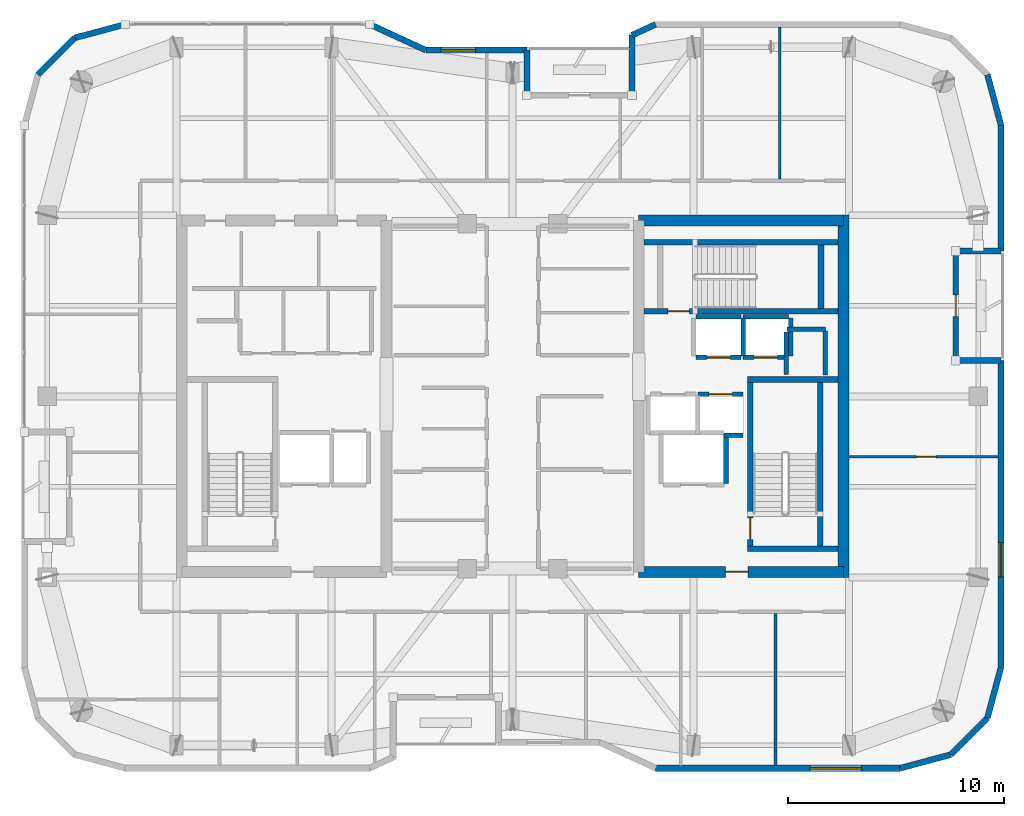
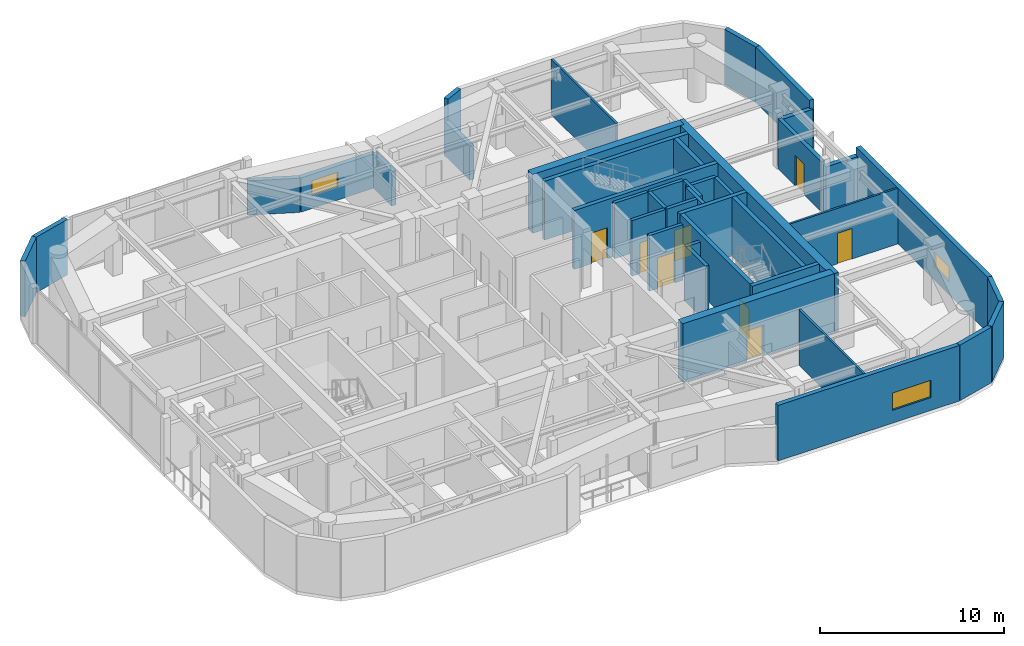
# One storey, part 13 of 16: 42 walls, 8 doors, 3 windows, 11 openings.
"""IFC4 building model written with IfcOpenShell, lengths in metres."""

from ifc_helpers import new_model, si_unit, direction, frame, frame_2d, origin, place, context, subcontext, project, spatial, rectangle, extrude, material, layer, layer_set, type_object, element, fill, save


model = new_model("IFC4")

# Units and contexts
model_context = context("Model", 3, precision=1e-05, world=origin(), true_north=direction((0.0, 1.0)))
body_context = subcontext(model_context, "Body", "Model", "MODEL_VIEW")
ifc_project = project(units=[si_unit("LENGTHUNIT", "METRE"), si_unit("AREAUNIT", "SQUARE_METRE"), si_unit("VOLUMEUNIT", "CUBIC_METRE"), si_unit("PLANEANGLEUNIT", "RADIAN"), si_unit("MASSUNIT", "GRAM", prefix="KILO")], contexts=[model_context])

# Site, building, storey
site_placement = place(None, origin())
site = spatial("IfcSite", under=ifc_project, at=site_placement, CompositionType="ELEMENT")
building_placement = place(site_placement, origin())
building = spatial("IfcBuilding", under=site, at=building_placement, Name="Kiyonajd Concourse Tower", CompositionType="ELEMENT")
storey_placement = place(building_placement, frame((0.0, 0.0, 310.199951171875)))
storey = spatial("IfcBuildingStorey", under=building, at=storey_placement, Name="L78", CompositionType="ELEMENT", Elevation=310.199951171875)

# Wall
ifc_material_1 = material(Name="Concrete C60/75", Category="concrete")
ifc_layer_1 = layer(ifc_material_1, 0.5)
ifc_layer_set_1 = layer_set([ifc_layer_1], Name="Concrete C60/75")
wall_type_1 = type_object("IfcWallType", Name="WL-CORE-500", PredefinedType="SHEAR", material=ifc_layer_set_1)
wall_1_placement = place(storey_placement, frame((63.35009765625, 27.60009765625, 0.0), z_axis=(0.0, 0.0, 1.0), x_axis=(0.0, 1.0, 0.0)))
element("IfcWall", 1, at=wall_1_placement, inside=storey, type_object=wall_type_1, Name="L78 East Core Outer Shear Wall", PredefinedType="SHEAR", context=body_context, shape_type="SweptSolid", body=[
    extrude(rectangle(XDim=16.7998046875, YDim=0.5, at=frame_2d((8.39990234375, 0.0))), origin(), (0.0, 0.0, 1.0), 3.900146484375),
])

# Wall, opening, door
wall_2_placement = place(storey_placement, frame((53.85009765625, 27.85009765625, 0.0), z_axis=(0.0, 0.0, 1.0), x_axis=(1.0, 0.0, 0.0)))
wall_2 = element("IfcWall", 2, at=wall_2_placement, inside=storey, type_object=wall_type_1, Name="L78 East Core South Shear Wall", PredefinedType="SHEAR", context=body_context, shape_type="SweptSolid", body=[
    extrude(rectangle(XDim=9.5, YDim=0.5, at=frame_2d((4.75, 0.0))), origin(), (0.0, 0.0, 1.0), 3.900146484375),
])
opening_1_placement = place(wall_2_placement, frame((4.02490234375, 0.0, 0.0)))
opening_1 = element("IfcOpeningElement", 3, at=opening_1_placement, cuts=wall_2, Name="Opening DF5", PredefinedType="OPENING", context=body_context, shape_type="SweptSolid", body=[
    extrude(rectangle(XDim=1.050048828125, YDim=2.0400390625, at=frame_2d((0.52490234375, 1.02001953125))), frame((0.0, 0.260009765625, 0.0), z_axis=(0.0, -1.0, 0.0), x_axis=(1.0, 0.0, 0.0)), (0.0, 0.0, 1.0), 0.52001953125),
])
ifc_material_2 = material(Name="Brushed Stainless Steel Cab Assembly", Category="steel")
door_type_1 = type_object("IfcDoorType", Name="DR-FD45-1050", OperationType="NOTDEFINED", PredefinedType="DOOR", material=ifc_material_2)
door_1_placement = place(opening_1_placement, origin())
door_1 = element("IfcDoor", 4, at=door_1_placement, inside=storey, type_object=door_type_1, Name="L78 Firefighting Lift Lobby E Smoke Door", OperationType="SINGLE_SWING_RIGHT", OverallHeight=2.0400390625, OverallWidth=1.050048828125, PredefinedType="DOOR", context=body_context, shape_type="SweptSolid", body=[
    extrude(rectangle(XDim=1.050048828125, YDim=2.0400390625, at=frame_2d((0.52490234375, 1.02001953125))), frame((0.0, 0.02490234375, 0.0), z_axis=(0.0, -1.0, 0.0), x_axis=(1.0, 0.0, 0.0)), (0.0, 0.0, 1.0), 0.050048828125),
])
fill(opening_1, door_1)

# Walls
wall_3_placement = place(storey_placement, frame((53.85009765625, 44.14990234375, 0.0), z_axis=(0.0, 0.0, 1.0), x_axis=(1.0, 0.0, 0.0)))
element("IfcWall", 5, at=wall_3_placement, inside=storey, type_object=wall_type_1, Name="L78 East Core North Shear Wall", PredefinedType="SHEAR", context=body_context, shape_type="SweptSolid", body=[
    extrude(rectangle(XDim=9.5, YDim=0.5, at=frame_2d((4.75, 0.0))), origin(), (0.0, 0.0, 1.0), 3.900146484375),
])
ifc_material_3 = material(Name="Precast concrete C50/60", Category="concrete")
ifc_layer_2 = layer(ifc_material_3, 0.280029296875)
ifc_layer_set_2 = layer_set([ifc_layer_2], Name="Precast concrete C50/60")
wall_type_2 = type_object("IfcWallType", Name="WL-EXT-280", PredefinedType="SOLIDWALL", material=ifc_layer_set_2)
wall_4_placement = place(storey_placement, frame((25.968505859375, 50.927490234375, 0.0), z_axis=(0.0, 0.0, 1.0), x_axis=(0.707106781187, 0.707106781187, 0.0)))
element("IfcWall", 6, at=wall_4_placement, inside=storey, type_object=wall_type_2, Name="L78 Exterior Concrete Frame Wall 07", PredefinedType="SOLIDWALL", context=body_context, shape_type="SweptSolid", body=[
    extrude(rectangle(XDim=2.409912109375, YDim=0.280029296875, at=frame_2d((1.205078125, 0.0))), origin(), (0.0, 0.0, 1.0), 3.679931640625),
])
wall_5_placement = place(storey_placement, frame((27.672607421875, 52.631591796875, 0.0), z_axis=(0.0, 0.0, 1.0), x_axis=(0.965937282298, 0.25877628691, 0.0)))
element("IfcWall", 7, at=wall_5_placement, inside=storey, type_object=wall_type_2, Name="L78 Exterior Concrete Frame Wall 08", PredefinedType="SOLIDWALL", context=body_context, shape_type="SweptSolid", body=[
    extrude(rectangle(XDim=2.428466796875, YDim=0.280029296875, at=frame_2d((1.21435546875, 0.0))), origin(), (0.0, 0.0, 1.0), 3.679931640625),
])
wall_6_placement = place(storey_placement, frame((41.369384765625, 53.260009765625, 0.0), z_axis=(0.0, 0.0, 1.0), x_axis=(0.907956889006, -0.419063584324, 0.0)))
element("IfcWall", 8, at=wall_6_placement, inside=storey, type_object=wall_type_2, Name="L78 Exterior Concrete Frame Wall 10", PredefinedType="SOLIDWALL", context=body_context, shape_type="SweptSolid", body=[
    extrude(rectangle(XDim=2.863525390625, YDim=0.280029296875, at=frame_2d((1.431640625, 0.0))), origin(), (0.0, 0.0, 1.0), 2.26513671875),
])

# Wall, opening, window
wall_7_placement = place(storey_placement, frame((43.96923828125, 52.06005859375, 0.0), z_axis=(0.0, 0.0, 1.0), x_axis=(1.0, 0.0, 0.0)))
wall_7 = element("IfcWall", 9, at=wall_7_placement, inside=storey, type_object=wall_type_2, Name="L78 Exterior Concrete Frame Wall 11", PredefinedType="SOLIDWALL", context=body_context, shape_type="SweptSolid", body=[
    extrude(rectangle(XDim=4.690673828125, YDim=0.280029296875, at=frame_2d((2.34521484375, 0.0))), origin(), (0.0, 0.0, 1.0), 2.26513671875),
])
opening_2_placement = place(wall_7_placement, frame((0.7099609375, 0.0, 0.85009765625)))
opening_2 = element("IfcOpeningElement", 10, at=opening_2_placement, cuts=wall_7, Name="Opening WN6", PredefinedType="OPENING", context=body_context, shape_type="SweptSolid", body=[
    extrude(rectangle(XDim=1.60009765625, YDim=1.0, at=frame_2d((0.800048828125, 0.5))), frame((0.0, 0.14990234375, 0.0), z_axis=(0.0, -1.0, 0.0), x_axis=(1.0, 0.0, 0.0)), (0.0, 0.0, 1.0), 0.300048828125),
])
ifc_material_4 = material(Name="Double Low-E Insulated Glass", Category="glass")
window_type_1 = type_object("IfcWindowType", Name="WN-VIS-1600x1000", PartitioningType="SINGLE_PANEL", PredefinedType="WINDOW", material=ifc_material_4)
window_1_placement = place(opening_2_placement, origin())
window_1 = element("IfcWindow", 11, at=window_1_placement, inside=storey, type_object=window_type_1, Name="L78 Modular Facade Vision Window 11", OverallHeight=1.0, OverallWidth=1.60009765625, PartitioningType="SINGLE_PANEL", PredefinedType="WINDOW", context=body_context, shape_type="SweptSolid", body=[
    extrude(rectangle(XDim=1.60009765625, YDim=1.0, at=frame_2d((0.800048828125, 0.5))), frame((0.0, 0.030029296875, 0.0), z_axis=(0.0, -1.0, 0.0), x_axis=(1.0, 0.0, 0.0)), (0.0, 0.0, 1.0), 0.06005859375),
])
fill(opening_2, window_1)

# Walls
wall_8_placement = place(storey_placement, frame((48.659912109375, 52.06005859375, 0.0), z_axis=(0.0, 0.0, 1.0), x_axis=(0.0, -1.0, 0.0)))
element("IfcWall", 12, at=wall_8_placement, inside=storey, type_object=wall_type_2, Name="L78 Exterior Concrete Frame Wall 12", PredefinedType="SOLIDWALL", context=body_context, shape_type="SweptSolid", body=[
    extrude(rectangle(XDim=2.10009765625, YDim=0.280029296875, at=frame_2d((1.050048828125, 0.0))), origin(), (0.0, 0.0, 1.0), 2.26513671875),
])
wall_9_placement = place(storey_placement, frame((53.5400390625, 49.9599609375, 0.0), z_axis=(0.0, 0.0, 1.0), x_axis=(0.0, 1.0, 0.0)))
element("IfcWall", 13, at=wall_9_placement, inside=storey, type_object=wall_type_2, Name="L78 Exterior Concrete Frame Wall 14", PredefinedType="SOLIDWALL", context=body_context, shape_type="SweptSolid", body=[
    extrude(rectangle(XDim=2.79638671875, YDim=0.280029296875, at=frame_2d((1.398193359375, 0.0))), origin(), (0.0, 0.0, 1.0), 2.26513671875),
])
wall_10_placement = place(storey_placement, frame((53.5400390625, 52.75634765625, 0.0), z_axis=(0.0, 0.0, 1.0), x_axis=(0.907893953211, 0.419199916176, 0.0)))
element("IfcWall", 14, at=wall_10_placement, inside=storey, type_object=wall_type_2, Name="L78 Exterior Concrete Frame Wall 15", PredefinedType="SOLIDWALL", context=body_context, shape_type="SweptSolid", body=[
    extrude(rectangle(XDim=1.201416015625, YDim=0.280029296875, at=frame_2d((0.6005859375, 0.0))), origin(), (0.0, 0.0, 1.0), 3.679931640625),
])
wall_11_placement = place(storey_placement, frame((70.031494140625, 50.927490234375, 0.0), z_axis=(0.0, 0.0, 1.0), x_axis=(0.258751159445, -0.965944013639, 0.0)))
element("IfcWall", 15, at=wall_11_placement, inside=storey, type_object=wall_type_2, Name="L78 Exterior Concrete Frame Wall 19", PredefinedType="SOLIDWALL", context=body_context, shape_type="SweptSolid", body=[
    extrude(rectangle(XDim=2.4287109375, YDim=0.280029296875, at=frame_2d((1.21435546875, 0.0))), origin(), (0.0, 0.0, 1.0), 3.679931640625),
])
wall_12_placement = place(storey_placement, frame((70.659912109375, 48.58154296875, 0.0), z_axis=(0.0, 0.0, 1.0), x_axis=(0.0, -1.0, 0.0)))
element("IfcWall", 16, at=wall_12_placement, inside=storey, type_object=wall_type_2, Name="L78 Exterior Concrete Frame Wall 20", PredefinedType="SOLIDWALL", context=body_context, shape_type="SweptSolid", body=[
    extrude(rectangle(XDim=5.841552734375, YDim=0.280029296875, at=frame_2d((2.9208984375, 0.0))), origin(), (0.0, 0.0, 1.0), 3.679931640625),
])
for number, where, z_axis, x_axis, name in (
    (17, (70.659912109375, 42.739990234375, 0.0), (0.0, 0.0, 1.0), (-1.0, 0.0, 0.0), "L78 Exterior Concrete Frame Wall 21"),
    (18, (68.56005859375, 37.659912109375, 0.0), (0.0, 0.0, 1.0), (1.0, 0.0, 0.0), "L78 Exterior Concrete Frame Wall 23"),
):
    element("IfcWall", number, at=place(storey_placement, frame(where, z_axis=z_axis, x_axis=x_axis)), inside=storey, type_object=wall_type_2, Name=name, PredefinedType="SOLIDWALL", context=body_context, shape_type="SweptSolid", body=[
        extrude(rectangle(XDim=2.099853515625, YDim=0.280029296875, at=frame_2d((1.0498046875, 0.0))), origin(), (0.0, 0.0, 1.0), 3.1259765625),
    ])

# Wall, opening, window
wall_13_placement = place(storey_placement, frame((70.659912109375, 37.659912109375, 0.0), z_axis=(0.0, 0.0, 1.0), x_axis=(0.0, -1.0, 0.0)))
wall_13 = element("IfcWall", 19, at=wall_13_placement, inside=storey, type_object=wall_type_2, Name="L78 Exterior Concrete Frame Wall 24", PredefinedType="SOLIDWALL", context=body_context, shape_type="SweptSolid", body=[
    extrude(rectangle(XDim=14.241455078125, YDim=0.280029296875, at=frame_2d((7.12060546875, 0.0))), origin(), (0.0, 0.0, 1.0), 3.679931640625),
])
opening_3_placement = place(wall_13_placement, frame((8.4560546875, 0.0, 0.85009765625)))
opening_3 = element("IfcOpeningElement", 20, at=opening_3_placement, cuts=wall_13, Name="Opening WN6", PredefinedType="OPENING", context=body_context, shape_type="SweptSolid", body=[
    extrude(rectangle(XDim=1.60009765625, YDim=1.0, at=frame_2d((0.800048828125, 0.5))), frame((0.0, 0.14990234375, 0.0), z_axis=(0.0, -1.0, 0.0), x_axis=(1.0, 0.0, 0.0)), (0.0, 0.0, 1.0), 0.300048828125),
])
window_2_placement = place(opening_3_placement, origin())
window_2 = element("IfcWindow", 21, at=window_2_placement, inside=storey, type_object=window_type_1, Name="L78 Modular Facade Vision Window 24", OverallHeight=1.0, OverallWidth=1.60009765625, PartitioningType="SINGLE_PANEL", PredefinedType="WINDOW", context=body_context, shape_type="SweptSolid", body=[
    extrude(rectangle(XDim=1.60009765625, YDim=1.0, at=frame_2d((0.800048828125, 0.5))), frame((0.0, 0.030029296875, 0.0), z_axis=(0.0, -1.0, 0.0), x_axis=(1.0, 0.0, 0.0)), (0.0, 0.0, 1.0), 0.06005859375),
])
fill(opening_3, window_2)

# Walls
wall_14_placement = place(storey_placement, frame((70.659912109375, 23.41845703125, 0.0), z_axis=(0.0, 0.0, 1.0), x_axis=(-0.258751159445, -0.965944013639, 0.0)))
element("IfcWall", 22, at=wall_14_placement, inside=storey, type_object=wall_type_2, Name="L78 Exterior Concrete Frame Wall 25", PredefinedType="SOLIDWALL", context=body_context, shape_type="SweptSolid", body=[
    extrude(rectangle(XDim=2.4287109375, YDim=0.280029296875, at=frame_2d((1.21435546875, 0.0))), origin(), (0.0, 0.0, 1.0), 3.679931640625),
])
wall_15_placement = place(storey_placement, frame((70.031494140625, 21.072509765625, 0.0), z_axis=(0.0, 0.0, 1.0), x_axis=(-0.707106781187, -0.707106781187, 0.0)))
element("IfcWall", 23, at=wall_15_placement, inside=storey, type_object=wall_type_2, Name="L78 Exterior Concrete Frame Wall 26", PredefinedType="SOLIDWALL", context=body_context, shape_type="SweptSolid", body=[
    extrude(rectangle(XDim=2.409912109375, YDim=0.280029296875, at=frame_2d((1.205078125, 0.0))), origin(), (0.0, 0.0, 1.0), 3.679931640625),
])
wall_16_placement = place(storey_placement, frame((68.327392578125, 19.368408203125, 0.0), z_axis=(0.0, 0.0, 1.0), x_axis=(-0.965937282298, -0.25877628691, 0.0)))
element("IfcWall", 24, at=wall_16_placement, inside=storey, type_object=wall_type_2, Name="L78 Exterior Concrete Frame Wall 27", PredefinedType="SOLIDWALL", context=body_context, shape_type="SweptSolid", body=[
    extrude(rectangle(XDim=2.428466796875, YDim=0.280029296875, at=frame_2d((1.21435546875, 0.0))), origin(), (0.0, 0.0, 1.0), 3.679931640625),
])

# Wall, opening, window
wall_17_placement = place(storey_placement, frame((65.981689453125, 18.739990234375, 0.0), z_axis=(0.0, 0.0, 1.0), x_axis=(-1.0, 0.0, 0.0)))
wall_17 = element("IfcWall", 25, at=wall_17_placement, inside=storey, type_object=wall_type_2, Name="L78 Exterior Concrete Frame Wall 28", PredefinedType="SOLIDWALL", context=body_context, shape_type="SweptSolid", body=[
    extrude(rectangle(XDim=11.35107421875, YDim=0.280029296875, at=frame_2d((5.675537109375, 0.0))), origin(), (0.0, 0.0, 1.0), 3.679931640625),
])
opening_4_placement = place(wall_17_placement, frame((1.785888671875, 0.0, 0.85009765625)))
opening_4 = element("IfcOpeningElement", 26, at=opening_4_placement, cuts=wall_17, Name="Opening WN4", PredefinedType="OPENING", context=body_context, shape_type="SweptSolid", body=[
    extrude(rectangle(XDim=2.39990234375, YDim=1.14990234375, at=frame_2d((1.199951171875, 0.574951171875))), frame((0.0, 0.14990234375, 0.0), z_axis=(0.0, -1.0, 0.0), x_axis=(1.0, 0.0, 0.0)), (0.0, 0.0, 1.0), 0.300048828125),
])
window_type_2 = type_object("IfcWindowType", Name="WN-VIS-2400x1150", PartitioningType="SINGLE_PANEL", PredefinedType="WINDOW", material=ifc_material_4)
window_3_placement = place(opening_4_placement, origin())
window_3 = element("IfcWindow", 27, at=window_3_placement, inside=storey, type_object=window_type_2, Name="L78 Modular Facade Vision Window 28", OverallHeight=1.14990234375, OverallWidth=2.39990234375, PartitioningType="SINGLE_PANEL", PredefinedType="WINDOW", context=body_context, shape_type="SweptSolid", body=[
    extrude(rectangle(XDim=2.39990234375, YDim=1.14990234375, at=frame_2d((1.199951171875, 0.574951171875))), frame((0.0, 0.030029296875, 0.0), z_axis=(0.0, -1.0, 0.0), x_axis=(1.0, 0.0, 0.0)), (0.0, 0.0, 1.0), 0.06005859375),
])
fill(opening_4, window_3)

# Wall, opening, door
ifc_layer_3 = layer(ifc_material_3, 0.239990234375)
ifc_layer_set_3 = layer_set([ifc_layer_3], Name="Precast concrete C50/60")
wall_type_3 = type_object("IfcWallType", Name="WL-LOG-240", PredefinedType="SOLIDWALL", material=ifc_layer_set_3)
wall_18_placement = place(storey_placement, frame((68.56005859375, 42.544921875, 0.0), z_axis=(0.0, 0.0, 1.0), x_axis=(0.0, -1.0, 0.0)))
wall_18 = element("IfcWall", 28, at=wall_18_placement, inside=storey, type_object=wall_type_3, Name="L78 Recessed Loggia Thermal Wall LOG-E", PredefinedType="SOLIDWALL", context=body_context, shape_type="SweptSolid", body=[
    extrude(rectangle(XDim=4.68994140625, YDim=0.239990234375, at=frame_2d((2.344970703125, 0.0))), origin(), (0.0, 0.0, 1.0), 3.31103515625),
])
opening_5_placement = place(wall_18_placement, frame((1.844970703125, 0.0, 0.0)))
opening_5 = element("IfcOpeningElement", 29, at=opening_5_placement, cuts=wall_18, Name="Opening DL1", PredefinedType="OPENING", context=body_context, shape_type="SweptSolid", body=[
    extrude(rectangle(XDim=1.0, YDim=2.02001953125, at=frame_2d((0.5, 1.010009765625))), frame((0.0, 0.1298828125, 0.0), z_axis=(0.0, -1.0, 0.0), x_axis=(1.0, 0.0, 0.0)), (0.0, 0.0, 1.0), 0.260009765625),
])
ifc_material_5 = material(Name="Thermally Broken Anodised Aluminium", Category="aluminium")
door_type_2 = type_object("IfcDoorType", Name="DR-LOG-1000", OperationType="NOTDEFINED", PredefinedType="DOOR", material=ifc_material_5)
door_2_placement = place(opening_5_placement, origin())
door_2 = element("IfcDoor", 30, at=door_2_placement, inside=storey, type_object=door_type_2, Name="L78 Engawa Loggia Access Door LOG-E", OperationType="SINGLE_SWING_LEFT", OverallHeight=2.02001953125, OverallWidth=1.0, PredefinedType="DOOR", context=body_context, shape_type="SweptSolid", body=[
    extrude(rectangle(XDim=1.0, YDim=2.02001953125, at=frame_2d((0.5, 1.010009765625))), frame((0.0, 0.02490234375, 0.0), z_axis=(0.0, -1.0, 0.0), x_axis=(1.0, 0.0, 0.0)), (0.0, 0.0, 1.0), 0.050048828125),
])
fill(opening_5, door_2)

# Walls
ifc_material_6 = material(Name="Gypsum Board on Cold-Formed Steel Stud", Category="steel")
ifc_layer_4 = layer(ifc_material_6, 0.125)
ifc_layer_set_4 = layer_set([ifc_layer_4], Name="Gypsum Board on Cold-Formed Steel Stud")
wall_type_4 = type_object("IfcWallType", Name="WL-PART-125", PredefinedType="PARTITIONING", material=ifc_layer_set_4)
for number, where, z_axis, x_axis, name in (
    (31, (60.199951171875, 18.875, 0.0), (0.0, 0.0, 1.0), (0.0, 1.0, 0.0), "L78 Interior Partition Wall"),
    (32, (60.39990234375, 46.0869140625, 0.0), (0.0, 0.0, 1.0), (0.0, 1.0, 0.0), "L78 Interior Partition Wall"),
):
    element("IfcWall", number, at=place(storey_placement, frame(where, z_axis=z_axis, x_axis=x_axis)), inside=storey, type_object=wall_type_4, Name=name, PredefinedType="PARTITIONING", context=body_context, shape_type="SweptSolid", body=[
        extrude(rectangle(XDim=7.0380859375, YDim=0.125, at=frame_2d((3.51904296875, 0.0))), origin(), (0.0, 0.0, 1.0), 3.679931640625),
    ])

# Wall, opening, door
wall_19_placement = place(storey_placement, frame((63.60009765625, 33.199951171875, 0.0), z_axis=(0.0, 0.0, 1.0), x_axis=(1.0, 0.0, 0.0)))
wall_19 = element("IfcWall", 33, at=wall_19_placement, inside=storey, type_object=wall_type_4, Name="L78 Interior Partition Wall", PredefinedType="PARTITIONING", context=body_context, shape_type="SweptSolid", body=[
    extrude(rectangle(XDim=6.9248046875, YDim=0.125, at=frame_2d((3.46240234375, 0.0))), origin(), (0.0, 0.0, 1.0), 3.679931640625),
])
opening_6_placement = place(wall_19_placement, frame((3.14990234375, 0.0, 0.0)))
opening_6 = element("IfcOpeningElement", 34, at=opening_6_placement, cuts=wall_19, Name="Opening DI2", PredefinedType="OPENING", context=body_context, shape_type="SweptSolid", body=[
    extrude(rectangle(XDim=0.89990234375, YDim=2.02001953125, at=frame_2d((0.449951171875, 1.010009765625))), frame((0.0, 0.072509765625, 0.0), z_axis=(0.0, -1.0, 0.0), x_axis=(1.0, 0.0, 0.0)), (0.0, 0.0, 1.0), 0.14501953125),
])
ifc_material_7 = material(Name="Natural Oak Acoustic Timber Veneer", Category="wood")
door_type_3 = type_object("IfcDoorType", Name="DR-INT-900", OperationType="NOTDEFINED", PredefinedType="DOOR", material=ifc_material_7)
door_3_placement = place(opening_6_placement, origin())
door_3 = element("IfcDoor", 35, at=door_3_placement, inside=storey, type_object=door_type_3, Name="L78 Interior Door", OperationType="SINGLE_SWING_RIGHT", OverallHeight=2.02001953125, OverallWidth=0.89990234375, PredefinedType="DOOR", context=body_context, shape_type="SweptSolid", body=[
    extrude(rectangle(XDim=0.89990234375, YDim=2.02001953125, at=frame_2d((0.449951171875, 1.010009765625))), frame((0.0, 0.02490234375, 0.0), z_axis=(0.0, -1.0, 0.0), x_axis=(1.0, 0.0, 0.0)), (0.0, 0.0, 1.0), 0.050048828125),
])
fill(opening_6, door_3)

# Walls
ifc_layer_5 = layer(ifc_material_6, 0.2099609375)
ifc_layer_set_5 = layer_set([ifc_layer_5], Name="Gypsum Board on Cold-Formed Steel Stud")
wall_type_5 = type_object("IfcWallType", Name="WL-SHAFT-210", PredefinedType="PARTITIONING", material=ifc_layer_set_5)
wall_20_placement = place(storey_placement, frame((60.719970703125, 39.10009765625, 0.0), z_axis=(0.0, 0.0, 1.0), x_axis=(1.0, 0.0, 0.0)))
element("IfcWall", 36, at=wall_20_placement, inside=storey, type_object=wall_type_5, Name="L78 Shaft Enclosure Wall", PredefinedType="PARTITIONING", context=body_context, shape_type="SweptSolid", body=[
    extrude(rectangle(XDim=1.800048828125, YDim=0.2099609375, at=frame_2d((0.89990234375, 0.0))), origin(), (0.0, 0.0, 1.0), 3.679931640625),
])
wall_21_placement = place(storey_placement, frame((60.699951171875, 37.02001953125, 0.0), z_axis=(0.0, 0.0, 1.0), x_axis=(0.0, 1.0, 0.0)))
element("IfcWall", 37, at=wall_21_placement, inside=storey, type_object=wall_type_5, Name="L78 Shaft Enclosure Wall", PredefinedType="PARTITIONING", context=body_context, shape_type="SweptSolid", body=[
    extrude(rectangle(XDim=1.9599609375, YDim=0.2099609375, at=frame_2d((0.97998046875, 0.0))), origin(), (0.0, 0.0, 1.0), 3.679931640625),
])
wall_22_placement = place(storey_placement, frame((62.5, 36.97998046875, 0.0), z_axis=(0.0, 0.0, 1.0), x_axis=(0.0, 1.0, 0.0)))
element("IfcWall", 38, at=wall_22_placement, inside=storey, type_object=wall_type_5, Name="L78 Shaft Enclosure Wall", PredefinedType="PARTITIONING", context=body_context, shape_type="SweptSolid", body=[
    extrude(rectangle(XDim=2.0400390625, YDim=0.2099609375, at=frame_2d((1.02001953125, 0.0))), origin(), (0.0, 0.0, 1.0), 3.679931640625),
])
wall_23_placement = place(storey_placement, frame((57.89990234375, 31.9599609375, 0.0), z_axis=(0.0, 0.0, 1.0), x_axis=(0.0, 1.0, 0.0)))
element("IfcWall", 39, at=wall_23_placement, inside=storey, type_object=wall_type_5, Name="L78 Shaft Enclosure Wall", PredefinedType="PARTITIONING", context=body_context, shape_type="SweptSolid", body=[
    extrude(rectangle(XDim=2.280029296875, YDim=0.2099609375, at=frame_2d((1.14013671875, 0.0))), origin(), (0.0, 0.0, 1.0), 3.679931640625),
])

# Wall, opening, door
wall_24_placement = place(storey_placement, frame((56.60009765625, 36.10009765625, 0.0), z_axis=(0.0, 0.0, 1.0), x_axis=(1.0, 0.0, 0.0)))
wall_24 = element("IfcWall", 40, at=wall_24_placement, inside=storey, type_object=wall_type_5, Name="L78 Shaft Enclosure Wall", PredefinedType="PARTITIONING", context=body_context, shape_type="SweptSolid", body=[
    extrude(rectangle(XDim=2.099853515625, YDim=0.2099609375, at=frame_2d((1.0498046875, 0.0))), origin(), (0.0, 0.0, 1.0), 3.679931640625),
])
opening_7_placement = place(wall_24_placement, frame((0.5, 0.0, 0.0)))
opening_7 = element("IfcOpeningElement", 41, at=opening_7_placement, cuts=wall_24, Name="Opening LD1", PredefinedType="OPENING", context=body_context, shape_type="SweptSolid", body=[
    extrude(rectangle(XDim=1.10009765625, YDim=2.0400390625, at=frame_2d((0.550048828125, 1.02001953125))), frame((0.0, 0.114990234375, 0.0), z_axis=(0.0, -1.0, 0.0), x_axis=(1.0, 0.0, 0.0)), (0.0, 0.0, 1.0), 0.22998046875),
])
door_type_4 = type_object("IfcDoorType", Name="DR-LD-1100", OperationType="DOUBLE_DOOR_SLIDING", PredefinedType="DOOR", material=ifc_material_2)
door_4_placement = place(opening_7_placement, origin())
door_4 = element("IfcDoor", 42, at=door_4_placement, inside=storey, type_object=door_type_4, Name="L78 Lift PL-H2 Sliding Landing Door", OperationType="DOUBLE_DOOR_SLIDING", OverallHeight=2.0400390625, OverallWidth=1.10009765625, PredefinedType="DOOR", context=body_context, shape_type="SweptSolid", body=[
    extrude(rectangle(XDim=1.10009765625, YDim=2.0400390625, at=frame_2d((0.550048828125, 1.02001953125))), frame((0.0, 0.02490234375, 0.0), z_axis=(0.0, -1.0, 0.0), x_axis=(1.0, 0.0, 0.0)), (0.0, 0.0, 1.0), 0.050048828125),
])
fill(opening_7, door_4)

# Wall
wall_25_placement = place(storey_placement, frame((57.800048828125, 34.199951171875, 0.0), z_axis=(0.0, 0.0, 1.0), x_axis=(1.0, 0.0, 0.0)))
element("IfcWall", 43, at=wall_25_placement, inside=storey, type_object=wall_type_5, Name="L78 Shaft Enclosure Wall", PredefinedType="PARTITIONING", context=body_context, shape_type="SweptSolid", body=[
    extrude(rectangle(XDim=0.89990234375, YDim=0.2099609375, at=frame_2d((0.449951171875, 0.0))), origin(), (0.0, 0.0, 1.0), 3.679931640625),
])

# Wall, opening, door
wall_26_placement = place(storey_placement, frame((56.5, 37.800048828125, 0.0), z_axis=(0.0, 0.0, 1.0), x_axis=(1.0, 0.0, 0.0)))
wall_26 = element("IfcWall", 44, at=wall_26_placement, inside=storey, type_object=wall_type_5, Name="L78 Shaft Enclosure Wall", PredefinedType="PARTITIONING", context=body_context, shape_type="SweptSolid", body=[
    extrude(rectangle(XDim=2.10009765625, YDim=0.2099609375, at=frame_2d((1.050048828125, 0.0))), origin(), (0.0, 0.0, 1.0), 3.679931640625),
])
opening_8_placement = place(wall_26_placement, frame((0.5, 0.0, 0.0)))
opening_8 = element("IfcOpeningElement", 45, at=opening_8_placement, cuts=wall_26, Name="Opening LD1", PredefinedType="OPENING", context=body_context, shape_type="SweptSolid", body=[
    extrude(rectangle(XDim=1.10009765625, YDim=2.0400390625, at=frame_2d((0.550048828125, 1.02001953125))), frame((0.0, 0.114990234375, 0.0), z_axis=(0.0, -1.0, 0.0), x_axis=(1.0, 0.0, 0.0)), (0.0, 0.0, 1.0), 0.22998046875),
])
door_5_placement = place(opening_8_placement, origin())
door_5 = element("IfcDoor", 46, at=door_5_placement, inside=storey, type_object=door_type_4, Name="L78 Lift PL-H3 Sliding Landing Door", OperationType="DOUBLE_DOOR_SLIDING", OverallHeight=2.0400390625, OverallWidth=1.10009765625, PredefinedType="DOOR", context=body_context, shape_type="SweptSolid", body=[
    extrude(rectangle(XDim=1.10009765625, YDim=2.0400390625, at=frame_2d((0.550048828125, 1.02001953125))), frame((0.0, 0.02490234375, 0.0), z_axis=(0.0, -1.0, 0.0), x_axis=(1.0, 0.0, 0.0)), (0.0, 0.0, 1.0), 0.050048828125),
])
fill(opening_8, door_5)

# Walls
wall_27_placement = place(storey_placement, frame((56.5, 39.699951171875, 0.0), z_axis=(0.0, 0.0, 1.0), x_axis=(1.0, 0.0, 0.0)))
element("IfcWall", 47, at=wall_27_placement, inside=storey, type_object=wall_type_5, Name="L78 Shaft Enclosure Wall", PredefinedType="PARTITIONING", context=body_context, shape_type="SweptSolid", body=[
    extrude(rectangle(XDim=2.10009765625, YDim=0.2099609375, at=frame_2d((1.050048828125, 0.0))), origin(), (0.0, 0.0, 1.0), 3.679931640625),
])
wall_28_placement = place(storey_placement, frame((58.699951171875, 37.860107421875, 0.0), z_axis=(0.0, 0.0, 1.0), x_axis=(0.0, 1.0, 0.0)))
element("IfcWall", 48, at=wall_28_placement, inside=storey, type_object=wall_type_5, Name="L78 Shaft Enclosure Wall", PredefinedType="PARTITIONING", context=body_context, shape_type="SweptSolid", body=[
    extrude(rectangle(XDim=1.77978515625, YDim=0.2099609375, at=frame_2d((0.889892578125, 0.0))), origin(), (0.0, 0.0, 1.0), 3.679931640625),
])

# Wall, opening, door
wall_29_placement = place(storey_placement, frame((58.699951171875, 37.800048828125, 0.0), z_axis=(0.0, 0.0, 1.0), x_axis=(1.0, 0.0, 0.0)))
wall_29 = element("IfcWall", 49, at=wall_29_placement, inside=storey, type_object=wall_type_5, Name="L78 Shaft Enclosure Wall", PredefinedType="PARTITIONING", context=body_context, shape_type="SweptSolid", body=[
    extrude(rectangle(XDim=2.10009765625, YDim=0.2099609375, at=frame_2d((1.050048828125, 0.0))), origin(), (0.0, 0.0, 1.0), 3.679931640625),
])
opening_9_placement = place(wall_29_placement, frame((0.5, 0.0, 0.0)))
opening_9 = element("IfcOpeningElement", 50, at=opening_9_placement, cuts=wall_29, Name="Opening LD1", PredefinedType="OPENING", context=body_context, shape_type="SweptSolid", body=[
    extrude(rectangle(XDim=1.10009765625, YDim=2.0400390625, at=frame_2d((0.550048828125, 1.02001953125))), frame((0.0, 0.114990234375, 0.0), z_axis=(0.0, -1.0, 0.0), x_axis=(1.0, 0.0, 0.0)), (0.0, 0.0, 1.0), 0.22998046875),
])
door_6_placement = place(opening_9_placement, origin())
door_6 = element("IfcDoor", 51, at=door_6_placement, inside=storey, type_object=door_type_4, Name="L78 Lift PL-H4 Sliding Landing Door", OperationType="DOUBLE_DOOR_SLIDING", OverallHeight=2.0400390625, OverallWidth=1.10009765625, PredefinedType="DOOR", context=body_context, shape_type="SweptSolid", body=[
    extrude(rectangle(XDim=1.10009765625, YDim=2.0400390625, at=frame_2d((0.550048828125, 1.02001953125))), frame((0.0, 0.02490234375, 0.0), z_axis=(0.0, -1.0, 0.0), x_axis=(1.0, 0.0, 0.0)), (0.0, 0.0, 1.0), 0.050048828125),
])
fill(opening_9, door_6)

# Walls
wall_30_placement = place(storey_placement, frame((58.699951171875, 39.699951171875, 0.0), z_axis=(0.0, 0.0, 1.0), x_axis=(1.0, 0.0, 0.0)))
element("IfcWall", 52, at=wall_30_placement, inside=storey, type_object=wall_type_5, Name="L78 Shaft Enclosure Wall", PredefinedType="PARTITIONING", context=body_context, shape_type="SweptSolid", body=[
    extrude(rectangle(XDim=2.10009765625, YDim=0.2099609375, at=frame_2d((1.050048828125, 0.0))), origin(), (0.0, 0.0, 1.0), 3.679931640625),
])
wall_31_placement = place(storey_placement, frame((60.89990234375, 37.860107421875, 0.0), z_axis=(0.0, 0.0, 1.0), x_axis=(0.0, 1.0, 0.0)))
element("IfcWall", 53, at=wall_31_placement, inside=storey, type_object=wall_type_5, Name="L78 Shaft Enclosure Wall", PredefinedType="PARTITIONING", context=body_context, shape_type="SweptSolid", body=[
    extrude(rectangle(XDim=1.77978515625, YDim=0.2099609375, at=frame_2d((0.889892578125, 0.0))), origin(), (0.0, 0.0, 1.0), 3.679931640625),
])
ifc_material_8 = material(Name="Concrete C50/60", Category="concrete")
ifc_layer_6 = layer(ifc_material_8, 0.260009765625)
ifc_layer_set_6 = layer_set([ifc_layer_6], Name="Concrete C50/60")
wall_type_6 = type_object("IfcWallType", Name="WL-STAIR-260", PredefinedType="SHEAR", material=ifc_layer_set_6)
for number, where, z_axis, x_axis, name in (
    (54, (58.889892578125, 28.919921875, 0.0), (0.0, 0.0, 1.0), (1.0, 0.0, 0.0), "L78 Stair ST2 Structural South Wall"),
    (55, (58.889892578125, 36.780029296875, 0.0), (0.0, 0.0, 1.0), (1.0, 0.0, 0.0), "L78 Stair ST2 Structural North Wall"),
):
    element("IfcWall", number, at=place(storey_placement, frame(where, z_axis=z_axis, x_axis=x_axis)), inside=storey, type_object=wall_type_6, Name=name, PredefinedType="SHEAR", context=body_context, shape_type="SweptSolid", body=[
        extrude(rectangle(XDim=4.210205078125, YDim=0.260009765625, at=frame_2d((2.10498046875, 0.0))), origin(), (0.0, 0.0, 1.0), 3.900146484375),
    ])

# Wall, opening, door
wall_32_placement = place(storey_placement, frame((59.02001953125, 29.050048828125, 0.0), z_axis=(0.0, 0.0, 1.0), x_axis=(0.0, 1.0, 0.0)))
wall_32 = element("IfcWall", 56, at=wall_32_placement, inside=storey, type_object=wall_type_6, Name="L78 Stair ST2 Structural West Wall", PredefinedType="SHEAR", context=body_context, shape_type="SweptSolid", body=[
    extrude(rectangle(XDim=7.599853515625, YDim=0.260009765625, at=frame_2d((3.7998046875, 0.0))), origin(), (0.0, 0.0, 1.0), 3.900146484375),
])
opening_10_placement = place(wall_32_placement, frame((0.300048828125, 0.0, 0.0)))
opening_10 = element("IfcOpeningElement", 57, at=opening_10_placement, cuts=wall_32, Name="Opening DF1", PredefinedType="OPENING", context=body_context, shape_type="SweptSolid", body=[
    extrude(rectangle(XDim=1.0, YDim=2.0400390625, at=frame_2d((0.5, 1.02001953125))), frame((0.0, 0.139892578125, 0.0), z_axis=(0.0, -1.0, 0.0), x_axis=(1.0, 0.0, 0.0)), (0.0, 0.0, 1.0), 0.280029296875),
])
door_type_5 = type_object("IfcDoorType", Name="DR-FD90-1000", OperationType="NOTDEFINED", PredefinedType="DOOR", material=ifc_material_2)
door_7_placement = place(opening_10_placement, origin())
door_7 = element("IfcDoor", 58, at=door_7_placement, inside=storey, type_object=door_type_5, Name="L78 Stair ST2 FSAE Door", OperationType="SINGLE_SWING_RIGHT", OverallHeight=2.0400390625, OverallWidth=1.0, PredefinedType="DOOR", context=body_context, shape_type="SweptSolid", body=[
    extrude(rectangle(XDim=1.0, YDim=2.0400390625, at=frame_2d((0.5, 1.02001953125))), frame((0.0, 0.02490234375, 0.0), z_axis=(0.0, -1.0, 0.0), x_axis=(1.0, 0.0, 0.0)), (0.0, 0.0, 1.0), 0.050048828125),
])
fill(opening_10, door_7)

# Wall
wall_33_placement = place(storey_placement, frame((62.280029296875, 29.050048828125, 0.0), z_axis=(0.0, 0.0, 1.0), x_axis=(0.0, 1.0, 0.0)))
element("IfcWall", 59, at=wall_33_placement, inside=storey, type_object=wall_type_6, Name="L78 Stair ST2 Structural East Wall", PredefinedType="SHEAR", context=body_context, shape_type="SweptSolid", body=[
    extrude(rectangle(XDim=7.599853515625, YDim=0.260009765625, at=frame_2d((3.7998046875, 0.0))), origin(), (0.0, 0.0, 1.0), 3.900146484375),
])

# Wall, opening, door
wall_34_placement = place(storey_placement, frame((54.10009765625, 39.949951171875, 0.0), z_axis=(0.0, 0.0, 1.0), x_axis=(1.0, 0.0, 0.0)))
wall_34 = element("IfcWall", 60, at=wall_34_placement, inside=storey, type_object=wall_type_6, Name="L78 Stair ST3 Structural South Wall", PredefinedType="SHEAR", context=body_context, shape_type="SweptSolid", body=[
    extrude(rectangle(XDim=9.0, YDim=0.260009765625, at=frame_2d((4.5, 0.0))), origin(), (0.0, 0.0, 1.0), 3.900146484375),
])
opening_11_placement = place(wall_34_placement, frame((1.10009765625, 0.0, 0.0)))
opening_11 = element("IfcOpeningElement", 61, at=opening_11_placement, cuts=wall_34, Name="Opening DF1", PredefinedType="OPENING", context=body_context, shape_type="SweptSolid", body=[
    extrude(rectangle(XDim=1.0, YDim=2.0400390625, at=frame_2d((0.5, 1.02001953125))), frame((0.0, 0.139892578125, 0.0), z_axis=(0.0, -1.0, 0.0), x_axis=(1.0, 0.0, 0.0)), (0.0, 0.0, 1.0), 0.280029296875),
])
door_8_placement = place(opening_11_placement, origin())
door_8 = element("IfcDoor", 62, at=door_8_placement, inside=storey, type_object=door_type_5, Name="L78 Stair ST3 Enclosure Door", OperationType="SINGLE_SWING_LEFT", OverallHeight=2.0400390625, OverallWidth=1.0, PredefinedType="DOOR", context=body_context, shape_type="SweptSolid", body=[
    extrude(rectangle(XDim=1.0, YDim=2.0400390625, at=frame_2d((0.5, 1.02001953125))), frame((0.0, 0.02490234375, 0.0), z_axis=(0.0, -1.0, 0.0), x_axis=(1.0, 0.0, 0.0)), (0.0, 0.0, 1.0), 0.050048828125),
])
fill(opening_11, door_8)

# Walls
wall_35_placement = place(storey_placement, frame((54.10009765625, 43.14990234375, 0.0), z_axis=(0.0, 0.0, 1.0), x_axis=(1.0, 0.0, 0.0)))
element("IfcWall", 63, at=wall_35_placement, inside=storey, type_object=wall_type_6, Name="L78 Stair ST3 Structural North Wall", PredefinedType="SHEAR", context=body_context, shape_type="SweptSolid", body=[
    extrude(rectangle(XDim=9.0, YDim=0.260009765625, at=frame_2d((4.5, 0.0))), origin(), (0.0, 0.0, 1.0), 3.900146484375),
])
wall_36_placement = place(storey_placement, frame((62.31005859375, 40.080078125, 0.0), z_axis=(0.0, 0.0, 1.0), x_axis=(0.0, 1.0, 0.0)))
element("IfcWall", 64, at=wall_36_placement, inside=storey, type_object=wall_type_6, Name="L78 Stair ST3 Structural East Wall", PredefinedType="SHEAR", context=body_context, shape_type="SweptSolid", body=[
    extrude(rectangle(XDim=2.93994140625, YDim=0.260009765625, at=frame_2d((1.469970703125, 0.0))), origin(), (0.0, 0.0, 1.0), 3.900146484375),
])

save(model, "model.ifc")
